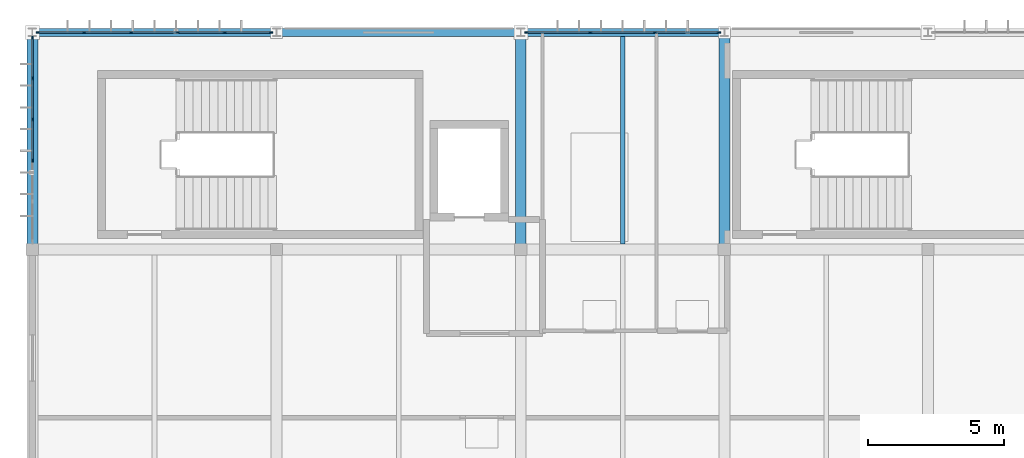
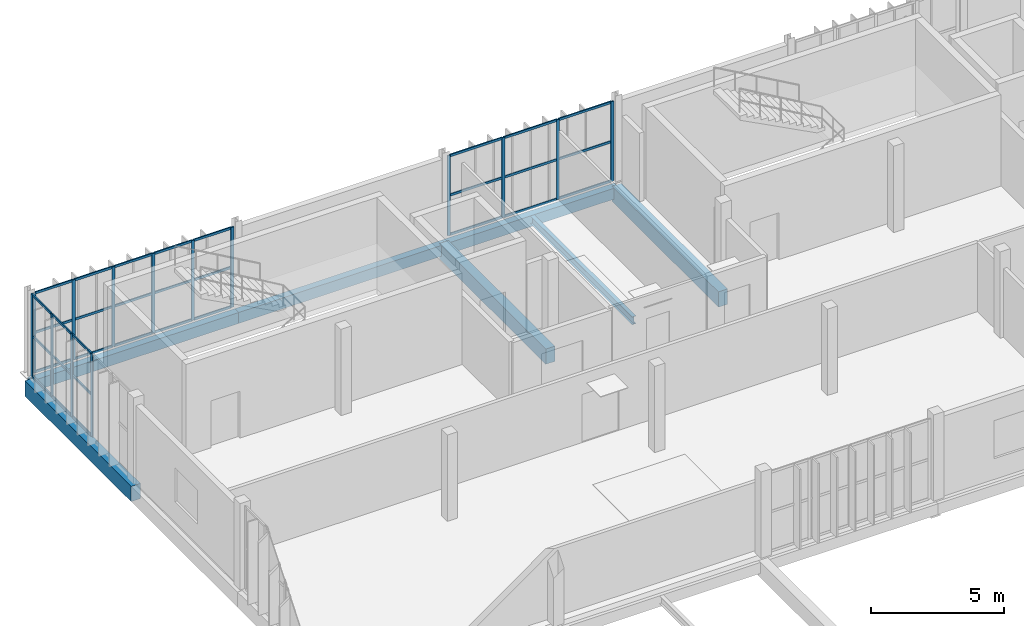
# One storey, part 11 of 26: 47 members, 7 beams, 3 elements without a shape of their own.
"""IFC4 building model written with IfcOpenShell, lengths in metres."""

from ifc_helpers import new_model, si_unit, direction, frame, origin, origin_2d, place, context, subcontext, project, spatial, rectangle, i_section, extrude, material, material_profile, profile_set, type_object, element, aggregate, save


model = new_model("IFC4")

# Units and contexts
model_context = context("Model", 3, precision=1e-05, world=origin(), true_north=direction((0.0, 1.0)))
body_context = subcontext(model_context, "Body", "Model", "MODEL_VIEW")
ifc_project = project(units=[si_unit("LENGTHUNIT", "METRE"), si_unit("AREAUNIT", "SQUARE_METRE"), si_unit("VOLUMEUNIT", "CUBIC_METRE"), si_unit("PLANEANGLEUNIT", "RADIAN"), si_unit("MASSUNIT", "GRAM", prefix="KILO")], contexts=[model_context])

# Site, building, storey
site_placement = place(None, origin())
site = spatial("IfcSite", under=ifc_project, at=site_placement, CompositionType="ELEMENT")
building_placement = place(site_placement, origin())
building = spatial("IfcBuilding", under=site, at=building_placement, Name="Vourika Railside Aquatics Centre", CompositionType="ELEMENT")
storey_placement = place(building_placement, frame((0.0, 0.0, 17.699951171875)))
storey = spatial("IfcBuildingStorey", under=building, at=storey_placement, Name="L04", CompositionType="ELEMENT", Elevation=17.699951171875)

# Beams
ifc_material_1 = material(Name="Concrete C35/45", Category="concrete")
ifc_material_profile_1 = material_profile(ifc_material_1, rectangle(XDim=0.39990234375, YDim=0.699951171875, at=origin_2d()), Name="RC 400x700")
ifc_profile_set_1 = profile_set([ifc_material_profile_1], Name="Concrete C35/45")
beam_type_1 = type_object("IfcBeamType", Name="BM-GIRD-400x700", PredefinedType="BEAM", material=ifc_profile_set_1)
for number, where, z_axis, x_axis, name in (
    (1, (18.0, 108.0, -0.58984375), (0.0, 1.0, 0.0), (-1.0, 0.0, 0.0), "Floor Girder GY-L04-060"),
    (2, (36.0, 108.0, -0.58984375), (0.0, 1.0, 0.0), (-1.0, 0.0, 0.0), "Floor Girder GY-L04-071"),
    (3, (43.5, 108.0, -0.58984375), (0.0, 1.0, 0.0), (-1.0, 0.0, 0.0), "Floor Girder GY-L04-074"),
):
    element("IfcBeam", number, at=place(storey_placement, frame(where, z_axis=z_axis, x_axis=x_axis)), inside=storey, type_object=beam_type_1, Name=name, PredefinedType="BEAM", context=body_context, shape_type="SweptSolid", body=[
        extrude(rectangle(XDim=0.39990234375, YDim=0.699951171875, at=origin_2d()), origin(), (0.0, 0.0, 1.0), 8.0),
    ])
ifc_material_profile_2 = material_profile(ifc_material_1, rectangle(XDim=0.300048828125, YDim=0.5, at=origin_2d()), Name="RC 300x500")
ifc_profile_set_2 = profile_set([ifc_material_profile_2], Name="Concrete C35/45")
beam_type_2 = type_object("IfcBeamType", Name="BM-SPAN-300x500", PredefinedType="SPANDREL", material=ifc_profile_set_2)
for number, where, z_axis, x_axis, name in (
    (4, (18.0, 116.0, -0.489990234375), (1.0, 0.0, 0.0), (0.0, 1.0, 0.0), "Floor Beam GX-L04-042"),
    (5, (27.0, 116.0, -0.489990234375), (1.0, 0.0, 0.0), (0.0, 1.0, 0.0), "Floor Beam GX-L04-043"),
):
    element("IfcBeam", number, at=place(storey_placement, frame(where, z_axis=z_axis, x_axis=x_axis)), inside=storey, type_object=beam_type_2, Name=name, PredefinedType="SPANDREL", context=body_context, shape_type="SweptSolid", body=[
        extrude(rectangle(XDim=0.300048828125, YDim=0.5, at=origin_2d()), origin(), (0.0, 0.0, 1.0), 9.0),
    ])
beam_1_placement = place(storey_placement, frame((36.0, 116.0, -0.489990234375), z_axis=(1.0, 0.0, 0.0), x_axis=(0.0, 1.0, 0.0)))
element("IfcBeam", 6, at=beam_1_placement, inside=storey, type_object=beam_type_2, Name="Floor Beam GX-L04-044", PredefinedType="SPANDREL", context=body_context, shape_type="SweptSolid", body=[
    extrude(rectangle(XDim=0.300048828125, YDim=0.5, at=origin_2d()), origin(), (0.0, 0.0, 1.0), 7.5),
])
ifc_material_2 = material(Name="Steel S355J2", Category="steel")
ifc_material_profile_3 = material_profile(ifc_material_2, i_section(OverallWidth=0.169921875, OverallDepth=0.360107421875, WebThickness=0.008056640625, FlangeThickness=0.0126953125, at=origin_2d()), Name="IPE 360")
ifc_profile_set_3 = profile_set([ifc_material_profile_3], Name="Steel S355J2")
beam_type_3 = type_object("IfcBeamType", Name="BM-STL-IPE360", PredefinedType="JOIST", material=ifc_profile_set_3)
beam_2_placement = place(storey_placement, frame((39.75, 108.199951171875, -0.419921875), z_axis=(0.0, 1.0, 0.0), x_axis=(-1.0, 0.0, 0.0)))
element("IfcBeam", 7, at=beam_2_placement, inside=storey, type_object=beam_type_3, Name="Secondary Joist JY-L04-128", PredefinedType="JOIST", context=body_context, shape_type="SweptSolid", body=[
    extrude(i_section(OverallWidth=0.169921875, OverallDepth=0.360107421875, WebThickness=0.008056640625, FlangeThickness=0.0126953125, at=origin_2d()), origin(), (0.0, 0.0, 1.0), 7.650146484375),
])

# Curtain wall, members
ifc_material_3 = material(Name="Anodized thermally broken aluminium", Category="aluminium")
curtain_wall_type = type_object("IfcCurtainWallType", Name="CW-FIT4", PredefinedType="NOTDEFINED", material=ifc_material_3)
curtain_wall_1_placement = place(storey_placement, origin())
curtain_wall_1 = element("IfcCurtainWall", 8, at=curtain_wall_1_placement, inside=storey, type_object=curtain_wall_type, Name="North Boulevard Curtain Wall L04-1", PredefinedType="NOTDEFINED")
ifc_material_4 = material(Name="Anodized aluminium mullion", Category="aluminium")
ifc_material_profile_4 = material_profile(ifc_material_4, rectangle(XDim=0.054931640625, YDim=0.135009765625, at=origin_2d()), Name="ALU-M 55x135")
ifc_profile_set_4 = profile_set([ifc_material_profile_4], Name="Anodized aluminium mullion")
member_type_1 = type_object("IfcMemberType", Name="CWM-FIT4", PredefinedType="MULLION", material=ifc_profile_set_4)
member_1_placement = place(storey_placement, frame((26.79248046875, 116.0, 0.0), z_axis=(0.0, 0.0, 1.0), x_axis=(0.0, -1.0, 0.0)))
member_1 = element("IfcMember", 9, at=member_1_placement, type_object=member_type_1, Name="CW18 mullion 1", PredefinedType="MULLION", context=body_context, shape_type="SweptSolid", body=[
    extrude(rectangle(XDim=0.054931640625, YDim=0.135009765625, at=origin_2d()), origin(), (0.0, 0.0, 1.0), 3.670166015625),
])
member_2_placement = place(storey_placement, frame((25.092041015625, 116.0, 0.0), z_axis=(0.0, 0.0, 1.0), x_axis=(0.0, -1.0, 0.0)))
member_2 = element("IfcMember", 10, at=member_2_placement, type_object=member_type_1, Name="CW18 mullion 2", PredefinedType="MULLION", context=body_context, shape_type="SweptSolid", body=[
    extrude(rectangle(XDim=0.054931640625, YDim=0.135009765625, at=origin_2d()), origin(), (0.0, 0.0, 1.0), 3.670166015625),
])
member_3_placement = place(storey_placement, frame((23.364013671875, 116.0, 0.0), z_axis=(0.0, 0.0, 1.0), x_axis=(0.0, -1.0, 0.0)))
member_3 = element("IfcMember", 11, at=member_3_placement, type_object=member_type_1, Name="CW18 mullion 3", PredefinedType="MULLION", context=body_context, shape_type="SweptSolid", body=[
    extrude(rectangle(XDim=0.054931640625, YDim=0.135009765625, at=origin_2d()), origin(), (0.0, 0.0, 1.0), 3.670166015625),
])
member_4_placement = place(storey_placement, frame((21.635986328125, 116.0, 0.0), z_axis=(0.0, 0.0, 1.0), x_axis=(0.0, -1.0, 0.0)))
member_4 = element("IfcMember", 12, at=member_4_placement, type_object=member_type_1, Name="CW18 mullion 4", PredefinedType="MULLION", context=body_context, shape_type="SweptSolid", body=[
    extrude(rectangle(XDim=0.054931640625, YDim=0.135009765625, at=origin_2d()), origin(), (0.0, 0.0, 1.0), 3.670166015625),
])
member_5_placement = place(storey_placement, frame((19.907958984375, 116.0, 0.0), z_axis=(0.0, 0.0, 1.0), x_axis=(0.0, -1.0, 0.0)))
member_5 = element("IfcMember", 13, at=member_5_placement, type_object=member_type_1, Name="CW18 mullion 5", PredefinedType="MULLION", context=body_context, shape_type="SweptSolid", body=[
    extrude(rectangle(XDim=0.054931640625, YDim=0.135009765625, at=origin_2d()), origin(), (0.0, 0.0, 1.0), 3.670166015625),
])
member_6_placement = place(storey_placement, frame((18.20751953125, 116.0, 0.0), z_axis=(0.0, 0.0, 1.0), x_axis=(0.0, -1.0, 0.0)))
member_6 = element("IfcMember", 14, at=member_6_placement, type_object=member_type_1, Name="CW18 mullion 6", PredefinedType="MULLION", context=body_context, shape_type="SweptSolid", body=[
    extrude(rectangle(XDim=0.054931640625, YDim=0.135009765625, at=origin_2d()), origin(), (0.0, 0.0, 1.0), 3.670166015625),
])

curtain_wall_2_placement = place(storey_placement, origin())
curtain_wall_2 = element("IfcCurtainWall", 15, at=curtain_wall_2_placement, inside=storey, type_object=curtain_wall_type, Name="North Boulevard Curtain Wall L04-3", PredefinedType="NOTDEFINED")
member_7_placement = place(storey_placement, frame((43.29248046875, 116.0, 0.0), z_axis=(0.0, 0.0, 1.0), x_axis=(0.0, -1.0, 0.0)))
member_7 = element("IfcMember", 16, at=member_7_placement, type_object=member_type_1, Name="CW18 mullion 1", PredefinedType="MULLION", context=body_context, shape_type="SweptSolid", body=[
    extrude(rectangle(XDim=0.054931640625, YDim=0.135009765625, at=origin_2d()), origin(), (0.0, 0.0, 1.0), 3.670166015625),
])
member_8_placement = place(storey_placement, frame((40.93994140625, 116.0, 0.0), z_axis=(0.0, 0.0, 1.0), x_axis=(0.0, -1.0, 0.0)))
member_8 = element("IfcMember", 17, at=member_8_placement, type_object=member_type_1, Name="CW18 mullion 2", PredefinedType="MULLION", context=body_context, shape_type="SweptSolid", body=[
    extrude(rectangle(XDim=0.054931640625, YDim=0.135009765625, at=origin_2d()), origin(), (0.0, 0.0, 1.0), 3.670166015625),
])
member_9_placement = place(storey_placement, frame((38.56005859375, 116.0, 0.0), z_axis=(0.0, 0.0, 1.0), x_axis=(0.0, -1.0, 0.0)))
member_9 = element("IfcMember", 18, at=member_9_placement, type_object=member_type_1, Name="CW18 mullion 3", PredefinedType="MULLION", context=body_context, shape_type="SweptSolid", body=[
    extrude(rectangle(XDim=0.054931640625, YDim=0.135009765625, at=origin_2d()), origin(), (0.0, 0.0, 1.0), 3.670166015625),
])
member_10_placement = place(storey_placement, frame((36.20751953125, 116.0, 0.0), z_axis=(0.0, 0.0, 1.0), x_axis=(0.0, -1.0, 0.0)))
member_10 = element("IfcMember", 19, at=member_10_placement, type_object=member_type_1, Name="CW18 mullion 4", PredefinedType="MULLION", context=body_context, shape_type="SweptSolid", body=[
    extrude(rectangle(XDim=0.054931640625, YDim=0.135009765625, at=origin_2d()), origin(), (0.0, 0.0, 1.0), 3.670166015625),
])

curtain_wall_3_placement = place(storey_placement, origin())
curtain_wall_3 = element("IfcCurtainWall", 20, at=curtain_wall_3_placement, inside=storey, type_object=curtain_wall_type, Name="Fitness West Boulevard Curtain Wall L04-3", PredefinedType="NOTDEFINED")
member_11_placement = place(storey_placement, frame((18.0, 115.79248046875, 0.0), z_axis=(0.0, 0.0, 1.0), x_axis=(1.0, 0.0, 0.0)))
member_11 = element("IfcMember", 21, at=member_11_placement, type_object=member_type_1, Name="CW18 mullion 1", PredefinedType="MULLION", context=body_context, shape_type="SweptSolid", body=[
    extrude(rectangle(XDim=0.054931640625, YDim=0.135009765625, at=origin_2d()), origin(), (0.0, 0.0, 1.0), 3.800048828125),
])
member_12_placement = place(storey_placement, frame((18.0, 114.306884765625, 0.0), z_axis=(0.0, 0.0, 1.0), x_axis=(1.0, 0.0, 0.0)))
member_12 = element("IfcMember", 22, at=member_12_placement, type_object=member_type_1, Name="CW18 mullion 2", PredefinedType="MULLION", context=body_context, shape_type="SweptSolid", body=[
    extrude(rectangle(XDim=0.054931640625, YDim=0.135009765625, at=origin_2d()), origin(), (0.0, 0.0, 1.0), 3.800048828125),
])
member_13_placement = place(storey_placement, frame((18.0, 112.7939453125, 0.0), z_axis=(0.0, 0.0, 1.0), x_axis=(1.0, 0.0, 0.0)))
member_13 = element("IfcMember", 23, at=member_13_placement, type_object=member_type_1, Name="CW18 mullion 3", PredefinedType="MULLION", context=body_context, shape_type="SweptSolid", body=[
    extrude(rectangle(XDim=0.054931640625, YDim=0.135009765625, at=origin_2d()), origin(), (0.0, 0.0, 1.0), 3.800048828125),
])
member_14_placement = place(storey_placement, frame((18.0, 111.281005859375, 0.0), z_axis=(0.0, 0.0, 1.0), x_axis=(1.0, 0.0, 0.0)))
member_14 = element("IfcMember", 24, at=member_14_placement, type_object=member_type_1, Name="CW18 mullion 4", PredefinedType="MULLION", context=body_context, shape_type="SweptSolid", body=[
    extrude(rectangle(XDim=0.054931640625, YDim=0.135009765625, at=origin_2d()), origin(), (0.0, 0.0, 1.0), 3.800048828125),
])

# Member
ifc_material_5 = material(Name="Anodized aluminium transom", Category="aluminium")
ifc_material_profile_5 = material_profile(ifc_material_5, rectangle(XDim=0.054931640625, YDim=0.10595703125, at=origin_2d()), Name="ALU-T 55x106")
ifc_profile_set_5 = profile_set([ifc_material_profile_5], Name="Anodized aluminium transom")
member_type_2 = type_object("IfcMemberType", Name="CWT-FIT4", PredefinedType="USERDEFINED", material=ifc_profile_set_5)
member_15_placement = place(storey_placement, frame((26.764892578125, 116.0, 0.027587890625), z_axis=(-1.0, 0.0, 0.0), x_axis=(0.0, -1.0, 0.0)))
member_15 = element("IfcMember", 25, at=member_15_placement, type_object=member_type_2, Name="CW18 transom 1.1", ObjectType="TRANSOM", PredefinedType="USERDEFINED", context=body_context, shape_type="SweptSolid", body=[
    extrude(rectangle(XDim=0.054931640625, YDim=0.10595703125, at=origin_2d()), origin(), (0.0, 0.0, 1.0), 1.6455078125),
])

member_16_placement = place(storey_placement, frame((26.764892578125, 116.0, 1.8349609375), z_axis=(-1.0, 0.0, 0.0), x_axis=(0.0, -1.0, 0.0)))
member_16 = element("IfcMember", 26, at=member_16_placement, type_object=member_type_2, Name="CW18 transom 1.2", ObjectType="TRANSOM", PredefinedType="USERDEFINED", context=body_context, shape_type="SweptSolid", body=[
    extrude(rectangle(XDim=0.054931640625, YDim=0.10595703125, at=origin_2d()), origin(), (0.0, 0.0, 1.0), 1.6455078125),
])

member_17_placement = place(storey_placement, frame((26.764892578125, 116.0, 3.642578125), z_axis=(-1.0, 0.0, 0.0), x_axis=(0.0, -1.0, 0.0)))
member_17 = element("IfcMember", 27, at=member_17_placement, type_object=member_type_2, Name="CW18 transom 1.3", ObjectType="TRANSOM", PredefinedType="USERDEFINED", context=body_context, shape_type="SweptSolid", body=[
    extrude(rectangle(XDim=0.054931640625, YDim=0.10595703125, at=origin_2d()), origin(), (0.0, 0.0, 1.0), 1.6455078125),
])

member_18_placement = place(storey_placement, frame((25.064453125, 116.0, 0.027587890625), z_axis=(-1.0, 0.0, 0.0), x_axis=(0.0, -1.0, 0.0)))
member_18 = element("IfcMember", 28, at=member_18_placement, type_object=member_type_2, Name="CW18 transom 2.1", ObjectType="TRANSOM", PredefinedType="USERDEFINED", context=body_context, shape_type="SweptSolid", body=[
    extrude(rectangle(XDim=0.054931640625, YDim=0.10595703125, at=origin_2d()), origin(), (0.0, 0.0, 1.0), 1.6728515625),
])

member_19_placement = place(storey_placement, frame((25.064453125, 116.0, 1.8349609375), z_axis=(-1.0, 0.0, 0.0), x_axis=(0.0, -1.0, 0.0)))
member_19 = element("IfcMember", 29, at=member_19_placement, type_object=member_type_2, Name="CW18 transom 2.2", ObjectType="TRANSOM", PredefinedType="USERDEFINED", context=body_context, shape_type="SweptSolid", body=[
    extrude(rectangle(XDim=0.054931640625, YDim=0.10595703125, at=origin_2d()), origin(), (0.0, 0.0, 1.0), 1.6728515625),
])

member_20_placement = place(storey_placement, frame((25.064453125, 116.0, 3.642578125), z_axis=(-1.0, 0.0, 0.0), x_axis=(0.0, -1.0, 0.0)))
member_20 = element("IfcMember", 30, at=member_20_placement, type_object=member_type_2, Name="CW18 transom 2.3", ObjectType="TRANSOM", PredefinedType="USERDEFINED", context=body_context, shape_type="SweptSolid", body=[
    extrude(rectangle(XDim=0.054931640625, YDim=0.10595703125, at=origin_2d()), origin(), (0.0, 0.0, 1.0), 1.6728515625),
])

member_21_placement = place(storey_placement, frame((23.33642578125, 116.0, 0.027587890625), z_axis=(-1.0, 0.0, 0.0), x_axis=(0.0, -1.0, 0.0)))
member_21 = element("IfcMember", 31, at=member_21_placement, type_object=member_type_2, Name="CW18 transom 3.1", ObjectType="TRANSOM", PredefinedType="USERDEFINED", context=body_context, shape_type="SweptSolid", body=[
    extrude(rectangle(XDim=0.054931640625, YDim=0.10595703125, at=origin_2d()), origin(), (0.0, 0.0, 1.0), 1.6728515625),
])

member_22_placement = place(storey_placement, frame((23.33642578125, 116.0, 1.8349609375), z_axis=(-1.0, 0.0, 0.0), x_axis=(0.0, -1.0, 0.0)))
member_22 = element("IfcMember", 32, at=member_22_placement, type_object=member_type_2, Name="CW18 transom 3.2", ObjectType="TRANSOM", PredefinedType="USERDEFINED", context=body_context, shape_type="SweptSolid", body=[
    extrude(rectangle(XDim=0.054931640625, YDim=0.10595703125, at=origin_2d()), origin(), (0.0, 0.0, 1.0), 1.6728515625),
])

member_23_placement = place(storey_placement, frame((23.33642578125, 116.0, 3.642578125), z_axis=(-1.0, 0.0, 0.0), x_axis=(0.0, -1.0, 0.0)))
member_23 = element("IfcMember", 33, at=member_23_placement, type_object=member_type_2, Name="CW18 transom 3.3", ObjectType="TRANSOM", PredefinedType="USERDEFINED", context=body_context, shape_type="SweptSolid", body=[
    extrude(rectangle(XDim=0.054931640625, YDim=0.10595703125, at=origin_2d()), origin(), (0.0, 0.0, 1.0), 1.6728515625),
])

member_24_placement = place(storey_placement, frame((21.6083984375, 116.0, 0.027587890625), z_axis=(-1.0, 0.0, 0.0), x_axis=(0.0, -1.0, 0.0)))
member_24 = element("IfcMember", 34, at=member_24_placement, type_object=member_type_2, Name="CW18 transom 4.1", ObjectType="TRANSOM", PredefinedType="USERDEFINED", context=body_context, shape_type="SweptSolid", body=[
    extrude(rectangle(XDim=0.054931640625, YDim=0.10595703125, at=origin_2d()), origin(), (0.0, 0.0, 1.0), 1.6728515625),
])

member_25_placement = place(storey_placement, frame((21.6083984375, 116.0, 1.8349609375), z_axis=(-1.0, 0.0, 0.0), x_axis=(0.0, -1.0, 0.0)))
member_25 = element("IfcMember", 35, at=member_25_placement, type_object=member_type_2, Name="CW18 transom 4.2", ObjectType="TRANSOM", PredefinedType="USERDEFINED", context=body_context, shape_type="SweptSolid", body=[
    extrude(rectangle(XDim=0.054931640625, YDim=0.10595703125, at=origin_2d()), origin(), (0.0, 0.0, 1.0), 1.6728515625),
])

member_26_placement = place(storey_placement, frame((21.6083984375, 116.0, 3.642578125), z_axis=(-1.0, 0.0, 0.0), x_axis=(0.0, -1.0, 0.0)))
member_26 = element("IfcMember", 36, at=member_26_placement, type_object=member_type_2, Name="CW18 transom 4.3", ObjectType="TRANSOM", PredefinedType="USERDEFINED", context=body_context, shape_type="SweptSolid", body=[
    extrude(rectangle(XDim=0.054931640625, YDim=0.10595703125, at=origin_2d()), origin(), (0.0, 0.0, 1.0), 1.6728515625),
])

member_27_placement = place(storey_placement, frame((19.880615234375, 116.0, 0.027587890625), z_axis=(-1.0, 0.0, 0.0), x_axis=(0.0, -1.0, 0.0)))
member_27 = element("IfcMember", 37, at=member_27_placement, type_object=member_type_2, Name="CW18 transom 5.1", ObjectType="TRANSOM", PredefinedType="USERDEFINED", context=body_context, shape_type="SweptSolid", body=[
    extrude(rectangle(XDim=0.054931640625, YDim=0.10595703125, at=origin_2d()), origin(), (0.0, 0.0, 1.0), 1.6455078125),
])

member_28_placement = place(storey_placement, frame((19.880615234375, 116.0, 1.8349609375), z_axis=(-1.0, 0.0, 0.0), x_axis=(0.0, -1.0, 0.0)))
member_28 = element("IfcMember", 38, at=member_28_placement, type_object=member_type_2, Name="CW18 transom 5.2", ObjectType="TRANSOM", PredefinedType="USERDEFINED", context=body_context, shape_type="SweptSolid", body=[
    extrude(rectangle(XDim=0.054931640625, YDim=0.10595703125, at=origin_2d()), origin(), (0.0, 0.0, 1.0), 1.6455078125),
])

member_29_placement = place(storey_placement, frame((19.880615234375, 116.0, 3.642578125), z_axis=(-1.0, 0.0, 0.0), x_axis=(0.0, -1.0, 0.0)))
member_29 = element("IfcMember", 39, at=member_29_placement, type_object=member_type_2, Name="CW18 transom 5.3", ObjectType="TRANSOM", PredefinedType="USERDEFINED", context=body_context, shape_type="SweptSolid", body=[
    extrude(rectangle(XDim=0.054931640625, YDim=0.10595703125, at=origin_2d()), origin(), (0.0, 0.0, 1.0), 1.6455078125),
])

aggregate(curtain_wall_1, [member_1, member_2, member_3, member_4, member_5, member_6, member_15, member_16, member_17, member_18, member_19, member_20, member_21, member_22, member_23, member_24, member_25, member_26, member_27, member_28, member_29])

member_30_placement = place(storey_placement, frame((43.264892578125, 116.0, 0.027587890625), z_axis=(-1.0, 0.0, 0.0), x_axis=(0.0, -1.0, 0.0)))
member_30 = element("IfcMember", 40, at=member_30_placement, type_object=member_type_2, Name="CW18 transom 1.1", ObjectType="TRANSOM", PredefinedType="USERDEFINED", context=body_context, shape_type="SweptSolid", body=[
    extrude(rectangle(XDim=0.054931640625, YDim=0.10595703125, at=origin_2d()), origin(), (0.0, 0.0, 1.0), 2.29736328125),
])

member_31_placement = place(storey_placement, frame((43.264892578125, 116.0, 1.8349609375), z_axis=(-1.0, 0.0, 0.0), x_axis=(0.0, -1.0, 0.0)))
member_31 = element("IfcMember", 41, at=member_31_placement, type_object=member_type_2, Name="CW18 transom 1.2", ObjectType="TRANSOM", PredefinedType="USERDEFINED", context=body_context, shape_type="SweptSolid", body=[
    extrude(rectangle(XDim=0.054931640625, YDim=0.10595703125, at=origin_2d()), origin(), (0.0, 0.0, 1.0), 2.29736328125),
])

member_32_placement = place(storey_placement, frame((43.264892578125, 116.0, 3.642578125), z_axis=(-1.0, 0.0, 0.0), x_axis=(0.0, -1.0, 0.0)))
member_32 = element("IfcMember", 42, at=member_32_placement, type_object=member_type_2, Name="CW18 transom 1.3", ObjectType="TRANSOM", PredefinedType="USERDEFINED", context=body_context, shape_type="SweptSolid", body=[
    extrude(rectangle(XDim=0.054931640625, YDim=0.10595703125, at=origin_2d()), origin(), (0.0, 0.0, 1.0), 2.29736328125),
])

member_33_placement = place(storey_placement, frame((40.91259765625, 116.0, 0.027587890625), z_axis=(-1.0, 0.0, 0.0), x_axis=(0.0, -1.0, 0.0)))
member_33 = element("IfcMember", 43, at=member_33_placement, type_object=member_type_2, Name="CW18 transom 2.1", ObjectType="TRANSOM", PredefinedType="USERDEFINED", context=body_context, shape_type="SweptSolid", body=[
    extrude(rectangle(XDim=0.054931640625, YDim=0.10595703125, at=origin_2d()), origin(), (0.0, 0.0, 1.0), 2.3251953125),
])

member_34_placement = place(storey_placement, frame((40.91259765625, 116.0, 1.8349609375), z_axis=(-1.0, 0.0, 0.0), x_axis=(0.0, -1.0, 0.0)))
member_34 = element("IfcMember", 44, at=member_34_placement, type_object=member_type_2, Name="CW18 transom 2.2", ObjectType="TRANSOM", PredefinedType="USERDEFINED", context=body_context, shape_type="SweptSolid", body=[
    extrude(rectangle(XDim=0.054931640625, YDim=0.10595703125, at=origin_2d()), origin(), (0.0, 0.0, 1.0), 2.3251953125),
])

member_35_placement = place(storey_placement, frame((40.91259765625, 116.0, 3.642578125), z_axis=(-1.0, 0.0, 0.0), x_axis=(0.0, -1.0, 0.0)))
member_35 = element("IfcMember", 45, at=member_35_placement, type_object=member_type_2, Name="CW18 transom 2.3", ObjectType="TRANSOM", PredefinedType="USERDEFINED", context=body_context, shape_type="SweptSolid", body=[
    extrude(rectangle(XDim=0.054931640625, YDim=0.10595703125, at=origin_2d()), origin(), (0.0, 0.0, 1.0), 2.3251953125),
])

member_36_placement = place(storey_placement, frame((38.532470703125, 116.0, 0.027587890625), z_axis=(-1.0, 0.0, 0.0), x_axis=(0.0, -1.0, 0.0)))
member_36 = element("IfcMember", 46, at=member_36_placement, type_object=member_type_2, Name="CW18 transom 3.1", ObjectType="TRANSOM", PredefinedType="USERDEFINED", context=body_context, shape_type="SweptSolid", body=[
    extrude(rectangle(XDim=0.054931640625, YDim=0.10595703125, at=origin_2d()), origin(), (0.0, 0.0, 1.0), 2.29736328125),
])

member_37_placement = place(storey_placement, frame((38.532470703125, 116.0, 1.8349609375), z_axis=(-1.0, 0.0, 0.0), x_axis=(0.0, -1.0, 0.0)))
member_37 = element("IfcMember", 47, at=member_37_placement, type_object=member_type_2, Name="CW18 transom 3.2", ObjectType="TRANSOM", PredefinedType="USERDEFINED", context=body_context, shape_type="SweptSolid", body=[
    extrude(rectangle(XDim=0.054931640625, YDim=0.10595703125, at=origin_2d()), origin(), (0.0, 0.0, 1.0), 2.29736328125),
])

member_38_placement = place(storey_placement, frame((38.532470703125, 116.0, 3.642578125), z_axis=(-1.0, 0.0, 0.0), x_axis=(0.0, -1.0, 0.0)))
member_38 = element("IfcMember", 48, at=member_38_placement, type_object=member_type_2, Name="CW18 transom 3.3", ObjectType="TRANSOM", PredefinedType="USERDEFINED", context=body_context, shape_type="SweptSolid", body=[
    extrude(rectangle(XDim=0.054931640625, YDim=0.10595703125, at=origin_2d()), origin(), (0.0, 0.0, 1.0), 2.29736328125),
])

aggregate(curtain_wall_2, [member_7, member_8, member_9, member_10, member_30, member_31, member_32, member_33, member_34, member_35, member_36, member_37, member_38])

member_39_placement = place(storey_placement, frame((18.0, 115.764892578125, 0.027587890625), z_axis=(0.0, -1.0, 0.0), x_axis=(1.0, 0.0, 0.0)))
member_39 = element("IfcMember", 49, at=member_39_placement, type_object=member_type_2, Name="CW18 transom 1.1", ObjectType="TRANSOM", PredefinedType="USERDEFINED", context=body_context, shape_type="SweptSolid", body=[
    extrude(rectangle(XDim=0.054931640625, YDim=0.10595703125, at=origin_2d()), origin(), (0.0, 0.0, 1.0), 1.430419921875),
])

member_40_placement = place(storey_placement, frame((18.0, 115.764892578125, 1.900146484375), z_axis=(0.0, -1.0, 0.0), x_axis=(1.0, 0.0, 0.0)))
member_40 = element("IfcMember", 50, at=member_40_placement, type_object=member_type_2, Name="CW18 transom 1.2", ObjectType="TRANSOM", PredefinedType="USERDEFINED", context=body_context, shape_type="SweptSolid", body=[
    extrude(rectangle(XDim=0.054931640625, YDim=0.10595703125, at=origin_2d()), origin(), (0.0, 0.0, 1.0), 1.430419921875),
])

member_41_placement = place(storey_placement, frame((18.0, 115.764892578125, 3.7724609375), z_axis=(0.0, -1.0, 0.0), x_axis=(1.0, 0.0, 0.0)))
member_41 = element("IfcMember", 51, at=member_41_placement, type_object=member_type_2, Name="CW18 transom 1.3", ObjectType="TRANSOM", PredefinedType="USERDEFINED", context=body_context, shape_type="SweptSolid", body=[
    extrude(rectangle(XDim=0.054931640625, YDim=0.10595703125, at=origin_2d()), origin(), (0.0, 0.0, 1.0), 1.430419921875),
])

member_42_placement = place(storey_placement, frame((18.0, 114.279541015625, 0.027587890625), z_axis=(0.0, -1.0, 0.0), x_axis=(1.0, 0.0, 0.0)))
member_42 = element("IfcMember", 52, at=member_42_placement, type_object=member_type_2, Name="CW18 transom 2.1", ObjectType="TRANSOM", PredefinedType="USERDEFINED", context=body_context, shape_type="SweptSolid", body=[
    extrude(rectangle(XDim=0.054931640625, YDim=0.10595703125, at=origin_2d()), origin(), (0.0, 0.0, 1.0), 1.4580078125),
])

member_43_placement = place(storey_placement, frame((18.0, 114.279541015625, 1.900146484375), z_axis=(0.0, -1.0, 0.0), x_axis=(1.0, 0.0, 0.0)))
member_43 = element("IfcMember", 53, at=member_43_placement, type_object=member_type_2, Name="CW18 transom 2.2", ObjectType="TRANSOM", PredefinedType="USERDEFINED", context=body_context, shape_type="SweptSolid", body=[
    extrude(rectangle(XDim=0.054931640625, YDim=0.10595703125, at=origin_2d()), origin(), (0.0, 0.0, 1.0), 1.4580078125),
])

member_44_placement = place(storey_placement, frame((18.0, 114.279541015625, 3.7724609375), z_axis=(0.0, -1.0, 0.0), x_axis=(1.0, 0.0, 0.0)))
member_44 = element("IfcMember", 54, at=member_44_placement, type_object=member_type_2, Name="CW18 transom 2.3", ObjectType="TRANSOM", PredefinedType="USERDEFINED", context=body_context, shape_type="SweptSolid", body=[
    extrude(rectangle(XDim=0.054931640625, YDim=0.10595703125, at=origin_2d()), origin(), (0.0, 0.0, 1.0), 1.4580078125),
])

member_45_placement = place(storey_placement, frame((18.0, 112.7666015625, 0.027587890625), z_axis=(0.0, -1.0, 0.0), x_axis=(1.0, 0.0, 0.0)))
member_45 = element("IfcMember", 55, at=member_45_placement, type_object=member_type_2, Name="CW18 transom 3.1", ObjectType="TRANSOM", PredefinedType="USERDEFINED", context=body_context, shape_type="SweptSolid", body=[
    extrude(rectangle(XDim=0.054931640625, YDim=0.10595703125, at=origin_2d()), origin(), (0.0, 0.0, 1.0), 1.4580078125),
])

member_46_placement = place(storey_placement, frame((18.0, 112.7666015625, 1.900146484375), z_axis=(0.0, -1.0, 0.0), x_axis=(1.0, 0.0, 0.0)))
member_46 = element("IfcMember", 56, at=member_46_placement, type_object=member_type_2, Name="CW18 transom 3.2", ObjectType="TRANSOM", PredefinedType="USERDEFINED", context=body_context, shape_type="SweptSolid", body=[
    extrude(rectangle(XDim=0.054931640625, YDim=0.10595703125, at=origin_2d()), origin(), (0.0, 0.0, 1.0), 1.4580078125),
])

member_47_placement = place(storey_placement, frame((18.0, 112.7666015625, 3.7724609375), z_axis=(0.0, -1.0, 0.0), x_axis=(1.0, 0.0, 0.0)))
member_47 = element("IfcMember", 57, at=member_47_placement, type_object=member_type_2, Name="CW18 transom 3.3", ObjectType="TRANSOM", PredefinedType="USERDEFINED", context=body_context, shape_type="SweptSolid", body=[
    extrude(rectangle(XDim=0.054931640625, YDim=0.10595703125, at=origin_2d()), origin(), (0.0, 0.0, 1.0), 1.4580078125),
])

aggregate(curtain_wall_3, [member_11, member_12, member_13, member_14, member_39, member_40, member_41, member_42, member_43, member_44, member_45, member_46, member_47])

save(model, "model.ifc")
